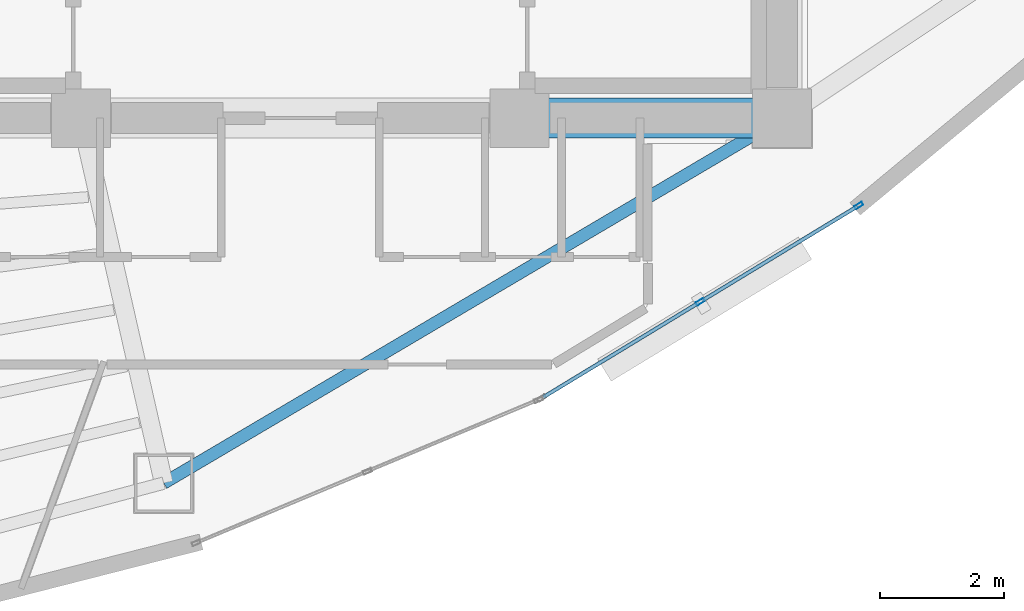
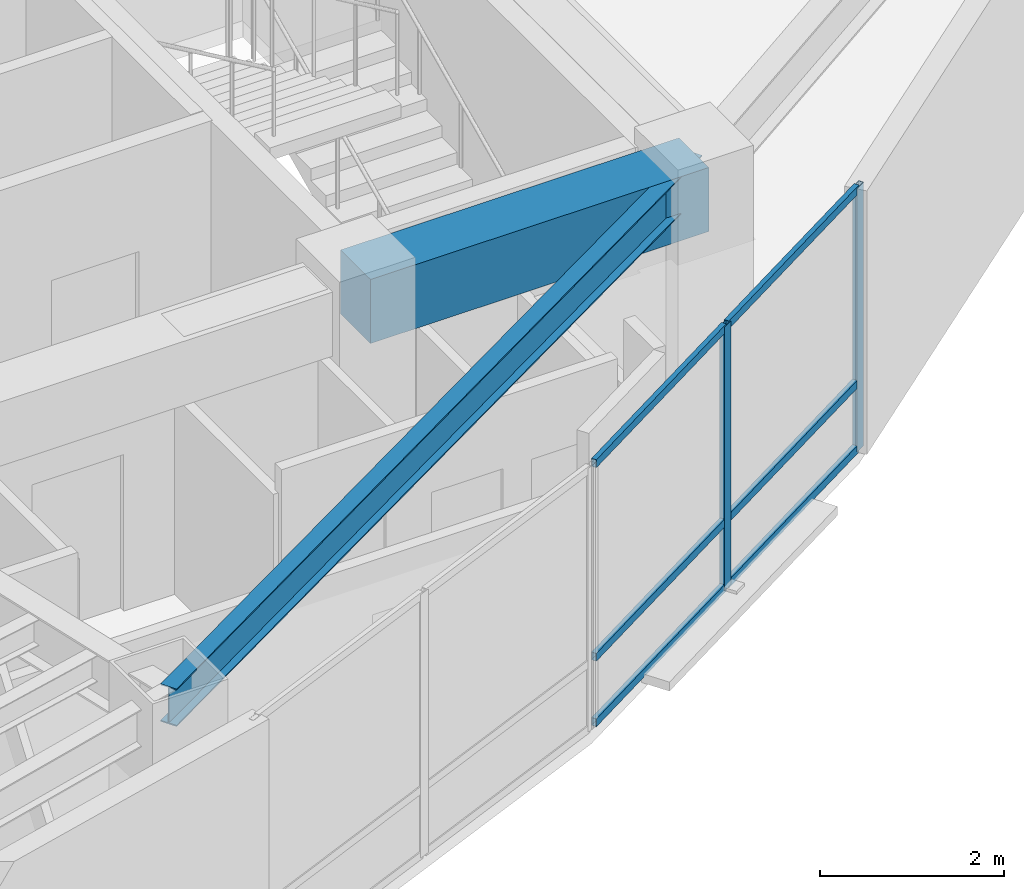
# One storey, part 5 of 15: 8 members, 2 beams, 1 element without a shape of its own.
"""IFC4 building model written with IfcOpenShell, lengths in metres."""

from ifc_helpers import new_model, si_unit, direction, frame, origin, origin_2d, place, context, subcontext, project, spatial, rectangle, hollow_rectangle, i_section, extrude, material, layer, layer_set, material_profile, profile_set, type_object, element, aggregate, save


model = new_model("IFC4")

# Units and contexts
model_context = context("Model", 3, precision=1e-05, world=origin(), true_north=direction((0.0, 1.0)))
body_context = subcontext(model_context, "Body", "Model", "MODEL_VIEW")
ifc_project = project(units=[si_unit("LENGTHUNIT", "METRE"), si_unit("AREAUNIT", "SQUARE_METRE"), si_unit("VOLUMEUNIT", "CUBIC_METRE"), si_unit("PLANEANGLEUNIT", "RADIAN"), si_unit("MASSUNIT", "GRAM", prefix="KILO")], contexts=[model_context])

# Site, building, storey
site_placement = place(None, origin())
site = spatial("IfcSite", under=ifc_project, at=site_placement, CompositionType="ELEMENT")
building_placement = place(site_placement, origin())
building = spatial("IfcBuilding", under=site, at=building_placement, Name="Menara Vayukalpa", CompositionType="ELEMENT")
storey_placement = place(building_placement, frame((0.0, 0.0, 226.97998046875)))
storey = spatial("IfcBuildingStorey", under=building, at=storey_placement, Name="L57", CompositionType="ELEMENT", Elevation=226.97998046875)

# Beams
ifc_material_1 = material(Name="Concrete C60/75", Category="concrete")
ifc_material_profile_1 = material_profile(ifc_material_1, rectangle(XDim=0.64990234375, YDim=0.85009765625, at=origin_2d()), Name="RC 650x850")
ifc_profile_set_1 = profile_set([ifc_material_profile_1], Name="Concrete C60/75")
beam_type_1 = type_object("IfcBeamType", Name="BM-CB1", PredefinedType="BEAM", material=ifc_profile_set_1)
beam_1_placement = place(storey_placement, frame((29.14990234375, 17.199951171875, 3.074951171875), z_axis=(1.0, 0.0, 0.0), x_axis=(0.0, 1.0, 0.0)))
element("IfcBeam", 1, at=beam_1_placement, inside=storey, type_object=beam_type_1, Name="L57 Core Tie Beam CBR3", PredefinedType="BEAM", context=body_context, shape_type="SweptSolid", body=[
    extrude(rectangle(XDim=0.64990234375, YDim=0.85009765625, at=origin_2d()), origin(), (0.0, 0.0, 1.0), 4.25),
])
ifc_material_2 = material(Name="Steel S355", Category="steel")
ifc_material_profile_2 = material_profile(ifc_material_2, i_section(OverallWidth=0.199951171875, OverallDepth=0.5, WebThickness=0.010009765625, FlangeThickness=0.01611328125, at=origin_2d()), Name="WF 500x200x10x16")
ifc_profile_set_2 = profile_set([ifc_material_profile_2], Name="Steel S355")
beam_type_2 = type_object("IfcBeamType", Name="BM-SP3", PredefinedType="SPANDREL", material=ifc_profile_set_2)
beam_2_placement = place(storey_placement, frame((23.389404296875, 11.29150390625, 3.25), z_axis=(0.861184403346, 0.508292655302, 0.0), x_axis=(-0.508292655302, 0.861184403346, 0.0)))
element("IfcBeam", 2, at=beam_2_placement, inside=storey, type_object=beam_type_2, Name="L57 Perimeter Spandrel Beam SP08", PredefinedType="SPANDREL", context=body_context, shape_type="SweptSolid", body=[
    extrude(i_section(OverallWidth=0.199951171875, OverallDepth=0.5, WebThickness=0.010009765625, FlangeThickness=0.01611328125, at=origin_2d()), origin(), (0.0, 0.0, 1.0), 11.6240234375),
])

# Curtain wall, members
ifc_material_3 = material(Name="Anodised Terracotta Aluminium Alloy 6063-T6", Category="masonry")
ifc_layer = layer(ifc_material_3, 0.139892578125)
ifc_layer_set = layer_set([ifc_layer], Name="Anodised Terracotta Aluminium Alloy 6063-T6")
curtain_wall_type = type_object("IfcCurtainWallType", Name="CW-CW5", PredefinedType="USERDEFINED", material=ifc_layer_set)
curtain_wall_placement = place(storey_placement, origin())
curtain_wall = element("IfcCurtainWall", 3, at=curtain_wall_placement, inside=storey, type_object=curtain_wall_type, Name="L57 High Rise Tapered Curtain Wall CW5 17", ObjectType="UNITISED", PredefinedType="USERDEFINED")
ifc_material_4 = material(Name="Anodised Terracotta Aluminium Alloy 6063-T6", Category="masonry")
ifc_material_profile_3 = material_profile(ifc_material_4, hollow_rectangle(XDim=0.06005859375, YDim=0.139892578125, WallThickness=0.00341796875, at=origin_2d()), Name="ALU 60x140x3.5")
ifc_profile_set_3 = profile_set([ifc_material_profile_3], Name="Anodised Terracotta Aluminium Alloy 6063-T6")
member_type_1 = type_object("IfcMemberType", Name="CWM-CW5", PredefinedType="MULLION", material=ifc_profile_set_3)
member_1_placement = place(storey_placement, frame((32.075439453125, 14.226318359375, 0.0), z_axis=(0.0, 0.0, 1.0), x_axis=(-0.519179911779, 0.854664974832, 0.0)))
member_1 = element("IfcMember", 4, at=member_1_placement, type_object=member_type_1, Name="CW5 mullion 2", PredefinedType="MULLION", context=body_context, shape_type="SweptSolid", body=[
    extrude(hollow_rectangle(XDim=0.06005859375, YDim=0.139892578125, WallThickness=0.00341796875, at=origin_2d()), origin(), (0.0, 0.0, 1.0), 3.5),
])
member_2_placement = place(storey_placement, frame((34.6416015625, 15.78515625, 0.0), z_axis=(0.0, 0.0, 1.0), x_axis=(-0.519179911779, 0.854664974832, 0.0)))
member_2 = element("IfcMember", 5, at=member_2_placement, type_object=member_type_1, Name="CW5 mullion 3", PredefinedType="MULLION", context=body_context, shape_type="SweptSolid", body=[
    extrude(hollow_rectangle(XDim=0.06005859375, YDim=0.139892578125, WallThickness=0.00341796875, at=origin_2d()), origin(), (0.0, 0.0, 1.0), 3.5),
])
ifc_material_5 = material(Name="Anodised Terracotta Aluminium Alloy 6063-T6", Category="masonry")
ifc_material_profile_4 = material_profile(ifc_material_5, hollow_rectangle(XDim=0.06005859375, YDim=0.10498046875, WallThickness=0.0029296875, at=origin_2d()), Name="ALU 60x105x3")
ifc_profile_set_4 = profile_set([ifc_material_profile_4], Name="Anodised Terracotta Aluminium Alloy 6063-T6")
member_type_2 = type_object("IfcMemberType", Name="CWT-CW5", PredefinedType="USERDEFINED", material=ifc_profile_set_4)
member_3_placement = place(storey_placement, frame((29.53515625, 12.68310546875, 0.030029296875), z_axis=(0.85466128475, 0.51918598628, 0.0), x_axis=(-0.51918598628, 0.85466128475, 0.0)))
member_3 = element("IfcMember", 6, at=member_3_placement, type_object=member_type_2, Name="CW5 transom 1.1", ObjectType="TRANSOM", PredefinedType="USERDEFINED", context=body_context, shape_type="SweptSolid", body=[
    extrude(hollow_rectangle(XDim=0.06005859375, YDim=0.10498046875, WallThickness=0.0029296875, at=origin_2d()), origin(), (0.0, 0.0, 1.0), 2.9423828125),
])
member_4_placement = place(storey_placement, frame((29.53515625, 12.68310546875, 0.89990234375), z_axis=(0.85466128475, 0.51918598628, 0.0), x_axis=(-0.51918598628, 0.85466128475, 0.0)))
member_4 = element("IfcMember", 7, at=member_4_placement, type_object=member_type_2, Name="CW5 transom 1.2", ObjectType="TRANSOM", PredefinedType="USERDEFINED", context=body_context, shape_type="SweptSolid", body=[
    extrude(hollow_rectangle(XDim=0.06005859375, YDim=0.10498046875, WallThickness=0.0029296875, at=origin_2d()), origin(), (0.0, 0.0, 1.0), 2.9423828125),
])
member_5_placement = place(storey_placement, frame((29.53515625, 12.68310546875, 3.469970703125), z_axis=(0.85466128475, 0.51918598628, 0.0), x_axis=(-0.51918598628, 0.85466128475, 0.0)))
member_5 = element("IfcMember", 8, at=member_5_placement, type_object=member_type_2, Name="CW5 transom 1.3", ObjectType="TRANSOM", PredefinedType="USERDEFINED", context=body_context, shape_type="SweptSolid", body=[
    extrude(hollow_rectangle(XDim=0.06005859375, YDim=0.10498046875, WallThickness=0.0029296875, at=origin_2d()), origin(), (0.0, 0.0, 1.0), 2.9423828125),
])
member_6_placement = place(storey_placement, frame((32.10107421875, 14.241943359375, 0.030029296875), z_axis=(0.854683649113, 0.519149169255, 0.0), x_axis=(-0.519149169255, 0.854683649113, 0.0)))
member_6 = element("IfcMember", 9, at=member_6_placement, type_object=member_type_2, Name="CW5 transom 2.1", ObjectType="TRANSOM", PredefinedType="USERDEFINED", context=body_context, shape_type="SweptSolid", body=[
    extrude(hollow_rectangle(XDim=0.06005859375, YDim=0.10498046875, WallThickness=0.0029296875, at=origin_2d()), origin(), (0.0, 0.0, 1.0), 2.9423828125),
])
member_7_placement = place(storey_placement, frame((32.10107421875, 14.241943359375, 0.89990234375), z_axis=(0.854683649113, 0.519149169255, 0.0), x_axis=(-0.519149169255, 0.854683649113, 0.0)))
member_7 = element("IfcMember", 10, at=member_7_placement, type_object=member_type_2, Name="CW5 transom 2.2", ObjectType="TRANSOM", PredefinedType="USERDEFINED", context=body_context, shape_type="SweptSolid", body=[
    extrude(hollow_rectangle(XDim=0.06005859375, YDim=0.10498046875, WallThickness=0.0029296875, at=origin_2d()), origin(), (0.0, 0.0, 1.0), 2.9423828125),
])
member_8_placement = place(storey_placement, frame((32.10107421875, 14.241943359375, 3.469970703125), z_axis=(0.854683649113, 0.519149169255, 0.0), x_axis=(-0.519149169255, 0.854683649113, 0.0)))
member_8 = element("IfcMember", 11, at=member_8_placement, type_object=member_type_2, Name="CW5 transom 2.3", ObjectType="TRANSOM", PredefinedType="USERDEFINED", context=body_context, shape_type="SweptSolid", body=[
    extrude(hollow_rectangle(XDim=0.06005859375, YDim=0.10498046875, WallThickness=0.0029296875, at=origin_2d()), origin(), (0.0, 0.0, 1.0), 2.9423828125),
])
aggregate(curtain_wall, [member_1, member_2, member_3, member_4, member_5, member_6, member_7, member_8])

save(model, "model.ifc")
